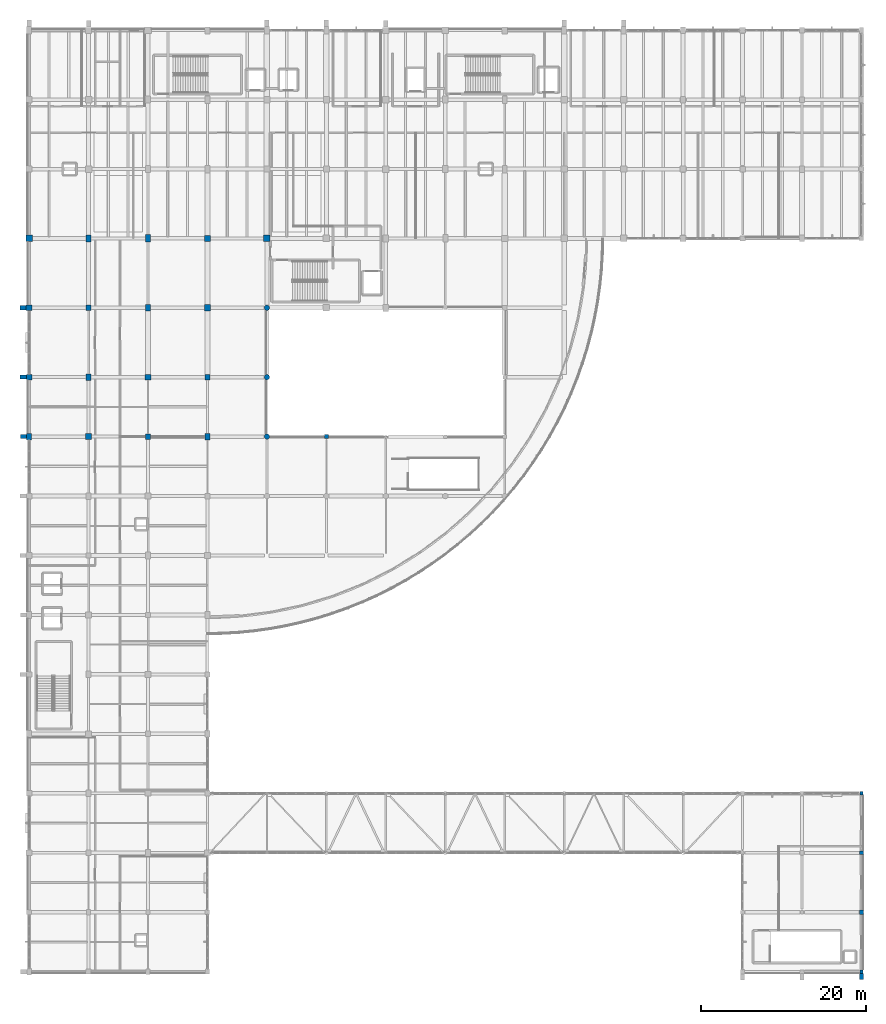
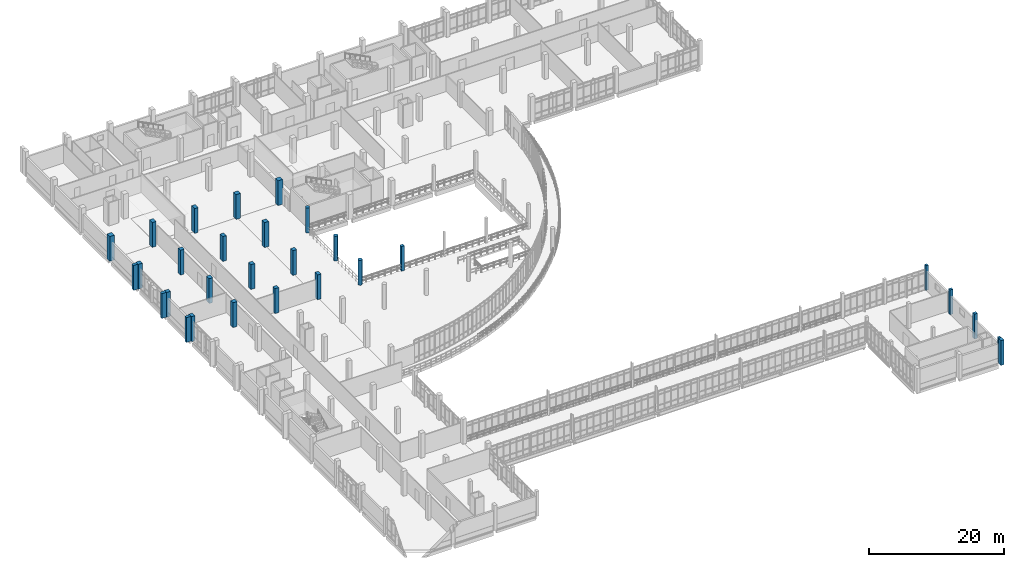
# One storey, part 6 of 116: 29 columns.
"""IFC4 building model written with IfcOpenShell, lengths in metres."""

from ifc_helpers import new_model, si_unit, direction, frame, origin, origin_2d, place, context, subcontext, project, spatial, rectangle, circle, extrude, material, material_profile, profile_set, type_object, element, save


model = new_model("IFC4")

# Units and contexts
model_context = context("Model", 3, precision=1e-05, world=origin(), true_north=direction((0.0, 1.0)))
body_context = subcontext(model_context, "Body", "Model", "MODEL_VIEW")
ifc_project = project(units=[si_unit("LENGTHUNIT", "METRE"), si_unit("AREAUNIT", "SQUARE_METRE"), si_unit("VOLUMEUNIT", "CUBIC_METRE"), si_unit("PLANEANGLEUNIT", "RADIAN"), si_unit("MASSUNIT", "GRAM", prefix="KILO")], contexts=[model_context])

# Site, building, storey
site_placement = place(None, origin())
site = spatial("IfcSite", under=ifc_project, at=site_placement, CompositionType="ELEMENT")
building_placement = place(site_placement, origin())
building = spatial("IfcBuilding", under=site, at=building_placement, Name="Kalluvel Institute of Natural Sciences", CompositionType="ELEMENT")
storey_placement = place(building_placement, frame((0.0, 0.0, 14.39990234375)))
storey = spatial("IfcBuildingStorey", under=building, at=storey_placement, Name="L03", CompositionType="ELEMENT", Elevation=14.39990234375)

# Columns
ifc_material_1 = material(Name="Concrete M40", Category="concrete")
ifc_material_profile_1 = material_profile(ifc_material_1, rectangle(XDim=0.39990234375, YDim=0.39990234375, at=origin_2d()), Name="RC 400x400")
ifc_profile_set_1 = profile_set([ifc_material_profile_1], Name="Concrete M40")
column_type_1 = type_object("IfcColumnType", Name="COL-RC400", PredefinedType="COLUMN", material=ifc_profile_set_1)
for number, where, z_axis, x_axis, name in (
    (1, (114.800048828125, 14.0, 0.0), (0.0, 0.0, 1.0), (1.0, 0.0, 0.0), "L03 structural column COL-L03-X1148-Y140"),
    (2, (114.800048828125, 35.60009765625, 0.0), (0.0, 0.0, 1.0), (1.0, 0.0, 0.0), "L03 structural column COL-L03-X1148-Y356"),
):
    element("IfcColumn", number, at=place(storey_placement, frame(where, z_axis=z_axis, x_axis=x_axis)), inside=storey, type_object=column_type_1, Name=name, PredefinedType="COLUMN", context=body_context, shape_type="SweptSolid", body=[
        extrude(rectangle(XDim=0.39990234375, YDim=0.39990234375, at=origin_2d()), origin(), (0.0, 0.0, 1.0), 4.5),
    ])
ifc_material_profile_2 = material_profile(ifc_material_1, rectangle(XDim=0.449951171875, YDim=0.449951171875, at=origin_2d()), Name="RC 450x450")
ifc_profile_set_2 = profile_set([ifc_material_profile_2], Name="Concrete M40")
column_type_2 = type_object("IfcColumnType", Name="COL-RC450", PredefinedType="COLUMN", material=ifc_profile_set_2)
column_1_placement = place(storey_placement, frame((114.800048828125, 28.39990234375, 0.0), z_axis=(0.0, 0.0, 1.0), x_axis=(1.0, 0.0, 0.0)))
element("IfcColumn", 3, at=column_1_placement, inside=storey, type_object=column_type_2, Name="L03 structural column COL-L03-X1148-Y284", PredefinedType="COLUMN", context=body_context, shape_type="SweptSolid", body=[
    extrude(rectangle(XDim=0.449951171875, YDim=0.449951171875, at=origin_2d()), origin(), (0.0, 0.0, 1.0), 4.5),
])
ifc_material_profile_3 = material_profile(ifc_material_1, rectangle(XDim=0.5, YDim=0.5, at=origin_2d()), Name="RC 500x500")
ifc_profile_set_3 = profile_set([ifc_material_profile_3], Name="Concrete M40")
column_type_3 = type_object("IfcColumnType", Name="COL-RC500", PredefinedType="COLUMN", material=ifc_profile_set_3)
for number, where, z_axis, x_axis, name in (
    (4, (50.0, 78.800048828125, 0.0), (0.0, 0.0, 1.0), (1.0, 0.0, 0.0), "L03 structural column COL-L03-X500-Y788"),
    (5, (114.800048828125, 21.199951171875, 0.0), (0.0, 0.0, 1.0), (1.0, 0.0, 0.0), "L03 structural column COL-L03-X1148-Y212"),
):
    element("IfcColumn", number, at=place(storey_placement, frame(where, z_axis=z_axis, x_axis=x_axis)), inside=storey, type_object=column_type_3, Name=name, PredefinedType="COLUMN", context=body_context, shape_type="SweptSolid", body=[
        extrude(rectangle(XDim=0.5, YDim=0.5, at=origin_2d()), origin(), (0.0, 0.0, 1.0), 4.5),
    ])
ifc_material_2 = material(Name="Concrete M50", Category="concrete")
ifc_material_profile_4 = material_profile(ifc_material_2, rectangle(XDim=0.60009765625, YDim=0.800048828125, at=origin_2d()), Name="RC 600x800")
ifc_profile_set_4 = profile_set([ifc_material_profile_4], Name="Concrete M50")
column_type_4 = type_object("IfcColumnType", Name="COL-RC600x800", PredefinedType="COLUMN", material=ifc_profile_set_4)
for number, where, z_axis, x_axis, name in (
    (6, (14.0, 78.800048828125, 0.0), (0.0, 0.0, 1.0), (1.0, 0.0, 0.0), "L03 structural column COL-L03-X140-Y788"),
    (7, (21.199951171875, 86.0, 0.0), (0.0, 0.0, 1.0), (1.0, 0.0, 0.0), "L03 structural column COL-L03-X212-Y860"),
    (8, (28.39990234375, 94.39990234375, 0.0), (0.0, 0.0, 1.0), (1.0, 0.0, 0.0), "L03 structural column COL-L03-X284-Y944"),
    (9, (35.60009765625, 78.800048828125, 0.0), (0.0, 0.0, 1.0), (1.0, 0.0, 0.0), "L03 structural column COL-L03-X356-Y788"),
):
    element("IfcColumn", number, at=place(storey_placement, frame(where, z_axis=z_axis, x_axis=x_axis)), inside=storey, type_object=column_type_4, Name=name, PredefinedType="COLUMN", context=body_context, shape_type="SweptSolid", body=[
        extrude(rectangle(XDim=0.60009765625, YDim=0.800048828125, at=origin_2d()), origin(), (0.0, 0.0, 1.0), 4.5),
    ])
ifc_material_profile_5 = material_profile(ifc_material_2, rectangle(XDim=0.60009765625, YDim=0.89990234375, at=origin_2d()), Name="RC 600x900")
ifc_profile_set_5 = profile_set([ifc_material_profile_5], Name="Concrete M50")
column_type_5 = type_object("IfcColumnType", Name="COL-RC600x900", PredefinedType="COLUMN", material=ifc_profile_set_5)
column_2_placement = place(storey_placement, frame((28.39990234375, 102.800048828125, 0.0), z_axis=(0.0, 0.0, 1.0), x_axis=(1.0, 0.0, 0.0)))
element("IfcColumn", 10, at=column_2_placement, inside=storey, type_object=column_type_5, Name="L03 structural column COL-L03-X284-Y1028", PredefinedType="COLUMN", context=body_context, shape_type="SweptSolid", body=[
    extrude(rectangle(XDim=0.60009765625, YDim=0.89990234375, at=origin_2d()), origin(), (0.0, 0.0, 1.0), 4.5),
])
ifc_material_profile_6 = material_profile(ifc_material_1, rectangle(XDim=0.64990234375, YDim=0.64990234375, at=origin_2d()), Name="RC 650x650")
ifc_profile_set_6 = profile_set([ifc_material_profile_6], Name="Concrete M40")
column_type_6 = type_object("IfcColumnType", Name="COL-RC650", PredefinedType="COLUMN", material=ifc_profile_set_6)
for number, where, z_axis, x_axis, name in (
    (11, (14.0, 86.0, 0.0), (0.0, 0.0, 1.0), (1.0, 0.0, 0.0), "L03 structural column COL-L03-X140-Y860"),
    (12, (21.199951171875, 94.39990234375, 0.0), (0.0, 0.0, 1.0), (1.0, 0.0, 0.0), "L03 structural column COL-L03-X212-Y944"),
    (13, (28.39990234375, 78.800048828125, 0.0), (0.0, 0.0, 1.0), (1.0, 0.0, 0.0), "L03 structural column COL-L03-X284-Y788"),
    (14, (35.60009765625, 86.0, 0.0), (0.0, 0.0, 1.0), (1.0, 0.0, 0.0), "L03 structural column COL-L03-X356-Y860"),
):
    element("IfcColumn", number, at=place(storey_placement, frame(where, z_axis=z_axis, x_axis=x_axis)), inside=storey, type_object=column_type_6, Name=name, PredefinedType="COLUMN", context=body_context, shape_type="SweptSolid", body=[
        extrude(rectangle(XDim=0.64990234375, YDim=0.64990234375, at=origin_2d()), origin(), (0.0, 0.0, 1.0), 4.5),
    ])
ifc_material_profile_7 = material_profile(ifc_material_2, rectangle(XDim=0.64990234375, YDim=0.85009765625, at=origin_2d()), Name="RC 650x850")
ifc_profile_set_7 = profile_set([ifc_material_profile_7], Name="Concrete M50")
column_type_7 = type_object("IfcColumnType", Name="COL-RC650x850", PredefinedType="COLUMN", material=ifc_profile_set_7)
column_3_placement = place(storey_placement, frame((21.199951171875, 102.800048828125, 0.0), z_axis=(0.0, 0.0, 1.0), x_axis=(1.0, 0.0, 0.0)))
element("IfcColumn", 15, at=column_3_placement, inside=storey, type_object=column_type_7, Name="L03 structural column COL-L03-X212-Y1028", PredefinedType="COLUMN", context=body_context, shape_type="SweptSolid", body=[
    extrude(rectangle(XDim=0.64990234375, YDim=0.85009765625, at=origin_2d()), origin(), (0.0, 0.0, 1.0), 4.5),
])
ifc_material_profile_8 = material_profile(ifc_material_1, rectangle(XDim=0.699951171875, YDim=0.699951171875, at=origin_2d()), Name="RC 700x700")
ifc_profile_set_8 = profile_set([ifc_material_profile_8], Name="Concrete M40")
column_type_8 = type_object("IfcColumnType", Name="COL-RC700", PredefinedType="COLUMN", material=ifc_profile_set_8)
for number, where, z_axis, x_axis, name in (
    (16, (14.0, 94.39990234375, 0.0), (0.0, 0.0, 1.0), (1.0, 0.0, 0.0), "L03 structural column COL-L03-X140-Y944"),
    (17, (21.199951171875, 78.800048828125, 0.0), (0.0, 0.0, 1.0), (1.0, 0.0, 0.0), "L03 structural column COL-L03-X212-Y788"),
    (18, (28.39990234375, 86.0, 0.0), (0.0, 0.0, 1.0), (1.0, 0.0, 0.0), "L03 structural column COL-L03-X284-Y860"),
):
    element("IfcColumn", number, at=place(storey_placement, frame(where, z_axis=z_axis, x_axis=x_axis)), inside=storey, type_object=column_type_8, Name=name, PredefinedType="COLUMN", context=body_context, shape_type="SweptSolid", body=[
        extrude(rectangle(XDim=0.699951171875, YDim=0.699951171875, at=origin_2d()), origin(), (0.0, 0.0, 1.0), 4.5),
    ])
ifc_material_profile_9 = material_profile(ifc_material_2, rectangle(XDim=0.75, YDim=0.75, at=origin_2d()), Name="RC 750x750")
ifc_profile_set_9 = profile_set([ifc_material_profile_9], Name="Concrete M50")
column_type_9 = type_object("IfcColumnType", Name="COL-RC750", PredefinedType="COLUMN", material=ifc_profile_set_9)
for number, where, z_axis, x_axis, name in (
    (19, (35.60009765625, 94.39990234375, 0.0), (0.0, 0.0, 1.0), (1.0, 0.0, 0.0), "L03 structural column COL-L03-X356-Y944"),
    (20, (35.60009765625, 102.800048828125, 0.0), (0.0, 0.0, 1.0), (1.0, 0.0, 0.0), "L03 structural column COL-L03-X356-Y1028"),
):
    element("IfcColumn", number, at=place(storey_placement, frame(where, z_axis=z_axis, x_axis=x_axis)), inside=storey, type_object=column_type_9, Name=name, PredefinedType="COLUMN", context=body_context, shape_type="SweptSolid", body=[
        extrude(rectangle(XDim=0.75, YDim=0.75, at=origin_2d()), origin(), (0.0, 0.0, 1.0), 4.5),
    ])
ifc_material_profile_10 = material_profile(ifc_material_2, rectangle(XDim=0.800048828125, YDim=0.800048828125, at=origin_2d()), Name="RC 800x800")
ifc_profile_set_10 = profile_set([ifc_material_profile_10], Name="Concrete M50")
column_type_10 = type_object("IfcColumnType", Name="COL-RC800", PredefinedType="COLUMN", material=ifc_profile_set_10)
for number, where, z_axis, x_axis, name in (
    (21, (14.0, 102.800048828125, 0.0), (0.0, 0.0, 1.0), (1.0, 0.0, 0.0), "L03 structural column COL-L03-X140-Y1028"),
    (22, (42.800048828125, 102.800048828125, 0.0), (0.0, 0.0, 1.0), (1.0, 0.0, 0.0), "L03 structural column COL-L03-X428-Y1028"),
):
    element("IfcColumn", number, at=place(storey_placement, frame(where, z_axis=z_axis, x_axis=x_axis)), inside=storey, type_object=column_type_10, Name=name, PredefinedType="COLUMN", context=body_context, shape_type="SweptSolid", body=[
        extrude(rectangle(XDim=0.800048828125, YDim=0.800048828125, at=origin_2d()), origin(), (0.0, 0.0, 1.0), 4.5),
    ])
ifc_material_profile_11 = material_profile(ifc_material_1, circle(Radius=0.324951171875, at=origin_2d()), Name="RCCOL D650")
ifc_profile_set_11 = profile_set([ifc_material_profile_11], Name="Concrete M40")
column_type_11 = type_object("IfcColumnType", Name="COL-RCD650", PredefinedType="COLUMN", material=ifc_profile_set_11)
for number, where, z_axis, x_axis, name in (
    (23, (42.800048828125, 78.800048828125, 0.0), (0.0, 0.0, 1.0), (1.0, 0.0, 0.0), "L03 structural column COL-L03-X428-Y788"),
    (24, (42.800048828125, 86.0, 0.0), (0.0, 0.0, 1.0), (1.0, 0.0, 0.0), "L03 structural column COL-L03-X428-Y860"),
    (25, (42.800048828125, 94.39990234375, 0.0), (0.0, 0.0, 1.0), (1.0, 0.0, 0.0), "L03 structural column COL-L03-X428-Y944"),
):
    element("IfcColumn", number, at=place(storey_placement, frame(where, z_axis=z_axis, x_axis=x_axis)), inside=storey, type_object=column_type_11, Name=name, PredefinedType="COLUMN", context=body_context, shape_type="SweptSolid", body=[
        extrude(circle(Radius=0.324951171875, at=origin_2d()), origin(), (0.0, 0.0, 1.0), 4.5),
    ])
ifc_material_3 = material(Name="Sadarahalli Granite Precast Concrete M45", Category="masonry")
ifc_material_profile_12 = material_profile(ifc_material_3, rectangle(XDim=0.5, YDim=0.75, at=origin_2d()), Name="PIL 500x750")
ifc_profile_set_12 = profile_set([ifc_material_profile_12], Name="Sadarahalli Granite Precast Concrete M45")
column_type_12 = type_object("IfcColumnType", Name="PIL-500x750", PredefinedType="PILASTER", material=ifc_profile_set_12)
for number, where, z_axis, x_axis, name in (
    (26, (13.322021484375, 78.800048828125, 0.0), (0.0, 0.0, 1.0), (0.0, 1.0, 0.0), "L03 Gothic stepped Sadarahalli granite buttress 113"),
    (27, (13.297119140625, 86.0, 0.0), (0.0, 0.0, 1.0), (0.0, 1.0, 0.0), "L03 Gothic stepped Sadarahalli granite buttress 121"),
    (28, (13.27197265625, 94.39990234375, 0.0), (0.0, 0.0, 1.0), (0.0, 1.0, 0.0), "L03 Gothic stepped Sadarahalli granite buttress 129"),
    (29, (114.800048828125, 13.422119140625, 0.0), (0.0, 0.0, 1.0), (1.0, 0.0, 0.0), "L03 Lecture and Commons Gothic stone buttress 147"),
):
    element("IfcColumn", number, at=place(storey_placement, frame(where, z_axis=z_axis, x_axis=x_axis)), inside=storey, type_object=column_type_12, Name=name, PredefinedType="PILASTER", context=body_context, shape_type="SweptSolid", body=[
        extrude(rectangle(XDim=0.5, YDim=0.75, at=origin_2d()), origin(), (0.0, 0.0, 1.0), 4.5),
    ])

save(model, "model.ifc")
